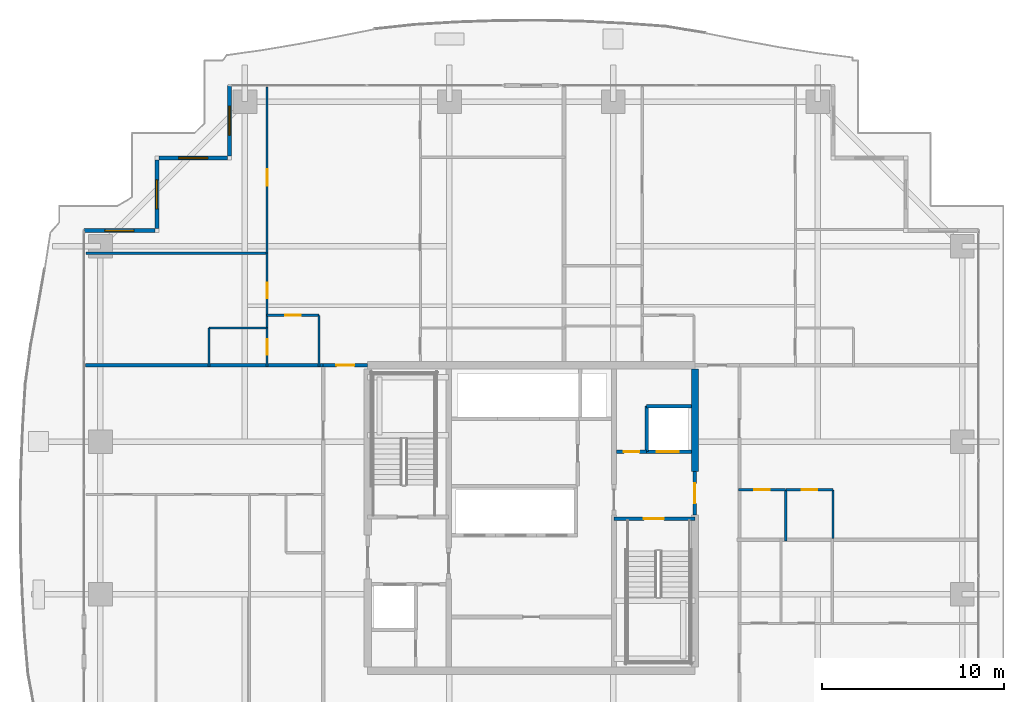
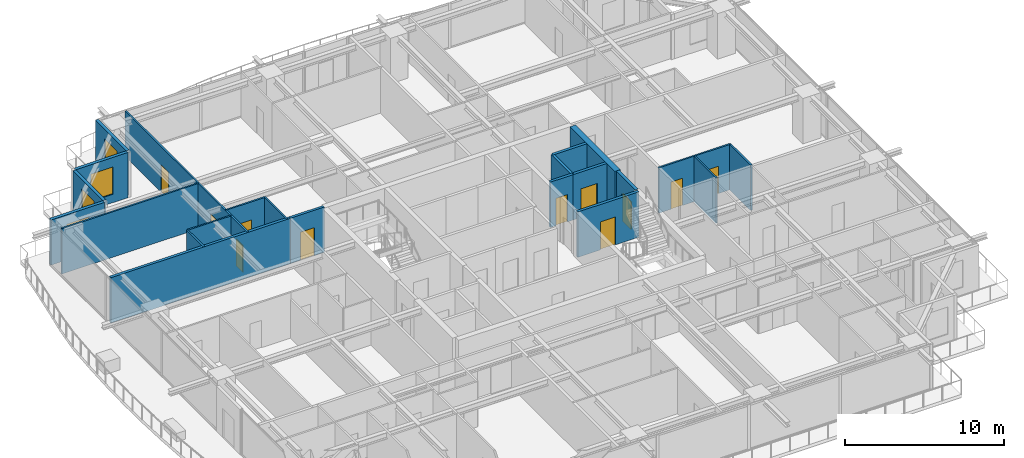
# One storey, part 30 of 38: 25 walls, 11 doors, 4 windows, 15 openings.
"""IFC4 building model written with IfcOpenShell, lengths in metres."""

from ifc_helpers import new_model, si_unit, direction, frame, frame_2d, origin, place, context, subcontext, project, spatial, rectangle, extrude, source, transform, mapped, material, layer, layer_set, type_object, element, fill, save


model = new_model("IFC4")

# Units and contexts
model_context = context("Model", 3, precision=1e-05, world=origin(), true_north=direction((0.0, 1.0)))
body_context = subcontext(model_context, "Body", "Model", "MODEL_VIEW")
ifc_project = project(units=[si_unit("LENGTHUNIT", "METRE"), si_unit("AREAUNIT", "SQUARE_METRE"), si_unit("VOLUMEUNIT", "CUBIC_METRE"), si_unit("PLANEANGLEUNIT", "RADIAN"), si_unit("MASSUNIT", "GRAM", prefix="KILO")], contexts=[model_context])

# Site, building, storey
site_placement = place(None, origin())
site = spatial("IfcSite", under=ifc_project, at=site_placement, CompositionType="ELEMENT")
building_placement = place(site_placement, origin())
building = spatial("IfcBuilding", under=site, at=building_placement, Name="Serunith Strait Residences", CompositionType="ELEMENT")
storey_placement = place(building_placement, frame((0.0, 0.0, 183.89990234375)))
storey = spatial("IfcBuildingStorey", under=building, at=storey_placement, Name="L46", CompositionType="ELEMENT", Elevation=183.89990234375)

# Wall, opening, window
ifc_material_1 = material(Name="Pale-Champagne Aluminium Insulated Panel", Category="aluminium")
ifc_layer_1 = layer(ifc_material_1, 0.219970703125, Name="Pale-Champagne Aluminium Insulated Panel")
ifc_layer_set_1 = layer_set([ifc_layer_1], Name="Pale-Champagne Aluminium Insulated Panel")
wall_type_1 = type_object("IfcWallType", Name="EW-ALUM-220", PredefinedType="ELEMENTEDWALL", material=ifc_layer_set_1)
wall_1_placement = place(storey_placement, frame((15.800048828125, 49.0, 0.0), z_axis=(0.0, 0.0, 1.0), x_axis=(0.0, -1.0, 0.0)))
wall_1 = element("IfcWall", 1, at=wall_1_placement, inside=storey, type_object=wall_type_1, Name="L46 Girih Serrated Corner Wall 12", PredefinedType="ELEMENTEDWALL", context=body_context, shape_type="SweptSolid", body=[
    extrude(rectangle(XDim=3.889892578125, YDim=0.219970703125, at=frame_2d((1.94482421875, 0.0))), origin(), (0.0, 0.0, 1.0), 3.47509765625),
])
opening_1_placement = place(wall_1_placement, frame((1.14501953125, 0.0, 0.64990234375)))
opening_1 = element("IfcOpeningElement", 2, at=opening_1_placement, cuts=wall_1, Name="Opening W-02", PredefinedType="OPENING", context=body_context, shape_type="SweptSolid", body=[
    extrude(rectangle(XDim=1.60009765625, YDim=2.10009765625, at=frame_2d((0.800048828125, 1.050048828125))), frame((0.0, 0.1201171875, 0.0), z_axis=(0.0, -1.0, 0.0), x_axis=(1.0, 0.0, 0.0)), (0.0, 0.0, 1.0), 0.239990234375),
])
ifc_material_2 = material(Name="Ceramic-Fritted Operable Aluminium Window Glass", Category="aluminium")
window_type = type_object("IfcWindowType", Name="WIN-C2", PartitioningType="DOUBLE_PANEL_VERTICAL", PredefinedType="WINDOW", material=ifc_material_2)
shared_shape_1 = source(origin(), body_context, "Body", "SweptSolid", [
    extrude(rectangle(XDim=1.60009765625, YDim=2.10009765625, at=frame_2d((0.800048828125, 1.050048828125))), frame((0.0, 0.030029296875, 0.0), z_axis=(0.0, -1.0, 0.0), x_axis=(1.0, 0.0, 0.0)), (0.0, 0.0, 1.0), 0.06005859375),
])
window_1_placement = place(opening_1_placement, origin())
window_1 = element("IfcWindow", 3, at=window_1_placement, inside=storey, type_object=window_type, Name="L46 Corner Operable Fritted Window 12", OverallHeight=2.10009765625, OverallWidth=1.60009765625, PartitioningType="SINGLE_PANEL", PredefinedType="WINDOW", context=body_context, shape_type="MappedRepresentation", body=[
    mapped(shared_shape_1, transform((0.0, 0.0, 0.0), scale=1.0)),
])
fill(opening_1, window_1)

wall_2_placement = place(storey_placement, frame((15.68994140625, 45.0, 0.0), z_axis=(0.0, 0.0, 1.0), x_axis=(-1.0, 0.0, 0.0)))
wall_2 = element("IfcWall", 4, at=wall_2_placement, inside=storey, type_object=wall_type_1, Name="L46 Girih Serrated Corner Wall 13", PredefinedType="ELEMENTEDWALL", context=body_context, shape_type="SweptSolid", body=[
    extrude(rectangle(XDim=3.780029296875, YDim=0.219970703125, at=frame_2d((1.89013671875, 0.0))), origin(), (0.0, 0.0, 1.0), 3.47509765625),
])
opening_2_placement = place(wall_2_placement, frame((1.090087890625, 0.0, 0.64990234375)))
opening_2 = element("IfcOpeningElement", 5, at=opening_2_placement, cuts=wall_2, Name="Opening W-02", PredefinedType="OPENING", context=body_context, shape_type="SweptSolid", body=[
    extrude(rectangle(XDim=1.60009765625, YDim=2.10009765625, at=frame_2d((0.800048828125, 1.050048828125))), frame((0.0, 0.1201171875, 0.0), z_axis=(0.0, -1.0, 0.0), x_axis=(1.0, 0.0, 0.0)), (0.0, 0.0, 1.0), 0.239990234375),
])
window_2_placement = place(opening_2_placement, origin())
window_2 = element("IfcWindow", 6, at=window_2_placement, inside=storey, type_object=window_type, Name="L46 Corner Operable Fritted Window 13", OverallHeight=2.10009765625, OverallWidth=1.60009765625, PartitioningType="SINGLE_PANEL", PredefinedType="WINDOW", context=body_context, shape_type="MappedRepresentation", body=[
    mapped(shared_shape_1, transform((0.0, 0.0, 0.0), scale=1.0)),
])
fill(opening_2, window_2)

wall_3_placement = place(storey_placement, frame((11.800048828125, 44.889892578125, 0.0), z_axis=(0.0, 0.0, 1.0), x_axis=(0.0, -1.0, 0.0)))
wall_3 = element("IfcWall", 7, at=wall_3_placement, inside=storey, type_object=wall_type_1, Name="L46 Girih Serrated Corner Wall 14", PredefinedType="ELEMENTEDWALL", context=body_context, shape_type="SweptSolid", body=[
    extrude(rectangle(XDim=3.77978515625, YDim=0.219970703125, at=frame_2d((1.889892578125, 0.0))), origin(), (0.0, 0.0, 1.0), 3.47509765625),
])
opening_3_placement = place(wall_3_placement, frame((1.090087890625, 0.0, 0.64990234375)))
opening_3 = element("IfcOpeningElement", 8, at=opening_3_placement, cuts=wall_3, Name="Opening W-02", PredefinedType="OPENING", context=body_context, shape_type="SweptSolid", body=[
    extrude(rectangle(XDim=1.60009765625, YDim=2.10009765625, at=frame_2d((0.800048828125, 1.050048828125))), frame((0.0, 0.1201171875, 0.0), z_axis=(0.0, -1.0, 0.0), x_axis=(1.0, 0.0, 0.0)), (0.0, 0.0, 1.0), 0.239990234375),
])
window_3_placement = place(opening_3_placement, origin())
window_3 = element("IfcWindow", 9, at=window_3_placement, inside=storey, type_object=window_type, Name="L46 Corner Operable Fritted Window 14", OverallHeight=2.10009765625, OverallWidth=1.60009765625, PartitioningType="SINGLE_PANEL", PredefinedType="WINDOW", context=body_context, shape_type="MappedRepresentation", body=[
    mapped(shared_shape_1, transform((0.0, 0.0, 0.0), scale=1.0)),
])
fill(opening_3, window_3)

wall_4_placement = place(storey_placement, frame((11.68994140625, 41.0, 0.0), z_axis=(0.0, 0.0, 1.0), x_axis=(-1.0, 0.0, 0.0)))
wall_4 = element("IfcWall", 10, at=wall_4_placement, inside=storey, type_object=wall_type_1, Name="L46 Girih Serrated Corner Wall 15", PredefinedType="ELEMENTEDWALL", context=body_context, shape_type="SweptSolid", body=[
    extrude(rectangle(XDim=3.889892578125, YDim=0.219970703125, at=frame_2d((1.94482421875, 0.0))), origin(), (0.0, 0.0, 1.0), 3.47509765625),
])
opening_4_placement = place(wall_4_placement, frame((1.14501953125, 0.0, 0.64990234375)))
opening_4 = element("IfcOpeningElement", 11, at=opening_4_placement, cuts=wall_4, Name="Opening W-02", PredefinedType="OPENING", context=body_context, shape_type="SweptSolid", body=[
    extrude(rectangle(XDim=1.60009765625, YDim=2.10009765625, at=frame_2d((0.800048828125, 1.050048828125))), frame((0.0, 0.1201171875, 0.0), z_axis=(0.0, -1.0, 0.0), x_axis=(1.0, 0.0, 0.0)), (0.0, 0.0, 1.0), 0.239990234375),
])
window_4_placement = place(opening_4_placement, origin())
window_4 = element("IfcWindow", 12, at=window_4_placement, inside=storey, type_object=window_type, Name="L46 Corner Operable Fritted Window 15", OverallHeight=2.10009765625, OverallWidth=1.60009765625, PartitioningType="SINGLE_PANEL", PredefinedType="WINDOW", context=body_context, shape_type="MappedRepresentation", body=[
    mapped(shared_shape_1, transform((0.0, 0.0, 0.0), scale=1.0)),
])
fill(opening_4, window_4)

# Wall, opening, door
ifc_material_3 = material(Name="Fire-rated acoustic gypsum partition")
ifc_layer_2 = layer(ifc_material_3, 0.179931640625, Name="Fire-rated acoustic gypsum partition")
ifc_layer_set_2 = layer_set([ifc_layer_2], Name="Fire-rated acoustic gypsum partition")
wall_type_2 = type_object("IfcWallType", Name="IW-CORR-180", PredefinedType="PARTITIONING", material=ifc_layer_set_2)
wall_5_placement = place(storey_placement, frame((20.951904296875, 33.60009765625, 0.0), z_axis=(0.0, 0.0, 1.0), x_axis=(1.0, 0.0, 0.0)))
wall_5 = element("IfcWall", 13, at=wall_5_placement, inside=storey, type_object=wall_type_2, Name="L46 Partition Wall 026", PredefinedType="PARTITIONING", context=body_context, shape_type="SweptSolid", body=[
    extrude(rectangle(XDim=2.446044921875, YDim=0.179931640625, at=frame_2d((1.22314453125, 0.0))), origin(), (0.0, 0.0, 1.0), 3.489990234375),
])
opening_5_placement = place(wall_5_placement, frame((0.722900390625, 0.0, 0.0)))
opening_5 = element("IfcOpeningElement", 14, at=opening_5_placement, cuts=wall_5, Name="Opening D-APT1000", PredefinedType="OPENING", context=body_context, shape_type="SweptSolid", body=[
    extrude(rectangle(XDim=1.0, YDim=2.14990234375, at=frame_2d((0.5, 1.074951171875))), frame((0.0, 0.10009765625, 0.0), z_axis=(0.0, -1.0, 0.0), x_axis=(1.0, 0.0, 0.0)), (0.0, 0.0, 1.0), 0.199951171875),
])
ifc_material_4 = material(Name="Solid timber engineered fire door", Category="wood")
door_type_1 = type_object("IfcDoorType", Name="ID-APT-1000", OperationType="NOTDEFINED", PredefinedType="DOOR", material=ifc_material_4)
shared_shape_2 = source(origin(), body_context, "Body", "SweptSolid", [
    extrude(rectangle(XDim=1.0, YDim=2.14990234375, at=frame_2d((0.5, 1.074951171875))), frame((0.0, 0.02490234375, 0.0), z_axis=(0.0, -1.0, 0.0), x_axis=(1.0, 0.0, 0.0)), (0.0, 0.0, 1.0), 0.050048828125),
])
door_1_placement = place(opening_5_placement, origin())
door_1 = element("IfcDoor", 15, at=door_1_placement, inside=storey, type_object=door_type_1, Name="L46 Unit 04 Entrance Door", OperationType="SINGLE_SWING_LEFT", OverallHeight=2.14990234375, OverallWidth=1.0, PredefinedType="DOOR", context=body_context, shape_type="MappedRepresentation", body=[
    mapped(shared_shape_2, transform((0.0, 0.0, 0.0), scale=1.0)),
])
fill(opening_5, door_1)

ifc_material_5 = material(Name="Lightweight steel-stud gypsum partition", Category="steel")
ifc_layer_3 = layer(ifc_material_5, 0.1201171875, Name="Lightweight steel-stud gypsum partition")
ifc_layer_set_3 = layer_set([ifc_layer_3], Name="Lightweight steel-stud gypsum partition")
wall_type_3 = type_object("IfcWallType", Name="IW-PART-120", PredefinedType="PARTITIONING", material=ifc_layer_set_3)
wall_6_placement = place(storey_placement, frame((17.8701171875, 36.35009765625, 0.0), z_axis=(0.0, 0.0, 1.0), x_axis=(1.0, 0.0, 0.0)))
wall_6 = element("IfcWall", 16, at=wall_6_placement, inside=storey, type_object=wall_type_3, Name="L46 Partition Wall 065", PredefinedType="PARTITIONING", context=body_context, shape_type="SweptSolid", body=[
    extrude(rectangle(XDim=2.849853515625, YDim=0.1201171875, at=frame_2d((1.4248046875, 0.0))), origin(), (0.0, 0.0, 1.0), 3.489990234375),
])
opening_6_placement = place(wall_6_placement, frame((1.0, 0.0, 0.0)))
opening_6 = element("IfcOpeningElement", 17, at=opening_6_placement, cuts=wall_6, Name="Opening D-RM850", PredefinedType="OPENING", context=body_context, shape_type="SweptSolid", body=[
    extrude(rectangle(XDim=0.85009765625, YDim=2.10009765625, at=frame_2d((0.425048828125, 1.050048828125))), frame((0.0, 0.070068359375, 0.0), z_axis=(0.0, -1.0, 0.0), x_axis=(1.0, 0.0, 0.0)), (0.0, 0.0, 1.0), 0.14013671875),
])
ifc_material_6 = material(Name="Engineered timber flush study and kitchen door", Category="wood")
door_type_2 = type_object("IfcDoorType", Name="ID-ROOM-850", OperationType="NOTDEFINED", PredefinedType="DOOR", material=ifc_material_6)
shared_shape_3 = source(origin(), body_context, "Body", "SweptSolid", [
    extrude(rectangle(XDim=0.85009765625, YDim=2.10009765625, at=frame_2d((0.425048828125, 1.050048828125))), frame((0.0, 0.02490234375, 0.0), z_axis=(0.0, -1.0, 0.0), x_axis=(1.0, 0.0, 0.0)), (0.0, 0.0, 1.0), 0.050048828125),
])
door_2_placement = place(opening_6_placement, origin())
door_2 = element("IfcDoor", 18, at=door_2_placement, inside=storey, type_object=door_type_2, Name="L46 Kitchen 4604 Door", OperationType="SINGLE_SWING_LEFT", OverallHeight=2.10009765625, OverallWidth=0.85009765625, PredefinedType="DOOR", context=body_context, shape_type="MappedRepresentation", body=[
    mapped(shared_shape_3, transform((0.0, 0.0, 0.0), scale=1.0)),
])
fill(opening_6, door_2)

# Wall
wall_7_placement = place(storey_placement, frame((20.719970703125, 36.35009765625, 0.0), z_axis=(0.0, 0.0, 1.0), x_axis=(0.0, -1.0, 0.0)))
element("IfcWall", 19, at=wall_7_placement, inside=storey, type_object=wall_type_3, Name="L46 Partition Wall 066", PredefinedType="PARTITIONING", context=body_context, shape_type="SweptSolid", body=[
    extrude(rectangle(XDim=2.81005859375, YDim=0.1201171875, at=frame_2d((1.405029296875, 0.0))), origin(), (0.0, 0.0, 1.0), 3.489990234375),
])

# Wall, opening, door
wall_8_placement = place(storey_placement, frame((17.8701171875, 48.905029296875, 0.0), z_axis=(0.0, 0.0, 1.0), x_axis=(0.0, -1.0, 0.0)))
wall_8 = element("IfcWall", 20, at=wall_8_placement, inside=storey, type_object=wall_type_3, Name="L46 Partition Wall 067", PredefinedType="PARTITIONING", context=body_context, shape_type="SweptSolid", body=[
    extrude(rectangle(XDim=9.14013671875, YDim=0.1201171875, at=frame_2d((4.570068359375, 0.0))), origin(), (0.0, 0.0, 1.0), 3.489990234375),
])
opening_7_placement = place(wall_8_placement, frame((4.531982421875, 0.0, 0.0)))
opening_7 = element("IfcOpeningElement", 21, at=opening_7_placement, cuts=wall_8, Name="Opening D-RM900", PredefinedType="OPENING", context=body_context, shape_type="SweptSolid", body=[
    extrude(rectangle(XDim=0.89990234375, YDim=2.10009765625, at=frame_2d((0.449951171875, 1.050048828125))), frame((0.0, 0.070068359375, 0.0), z_axis=(0.0, -1.0, 0.0), x_axis=(1.0, 0.0, 0.0)), (0.0, 0.0, 1.0), 0.14013671875),
])
ifc_material_7 = material(Name="Engineered timber flush bedroom door", Category="wood")
door_type_3 = type_object("IfcDoorType", Name="ID-ROOM-900", OperationType="NOTDEFINED", PredefinedType="DOOR", material=ifc_material_7)
shared_shape_4 = source(origin(), body_context, "Body", "SweptSolid", [
    extrude(rectangle(XDim=0.89990234375, YDim=2.10009765625, at=frame_2d((0.449951171875, 1.050048828125))), frame((0.0, 0.02490234375, 0.0), z_axis=(0.0, -1.0, 0.0), x_axis=(1.0, 0.0, 0.0)), (0.0, 0.0, 1.0), 0.050048828125),
])
door_3_placement = place(opening_7_placement, origin())
door_3 = element("IfcDoor", 22, at=door_3_placement, inside=storey, type_object=door_type_3, Name="L46 Master Bedroom 1 4604 Door", OperationType="SINGLE_SWING_RIGHT", OverallHeight=2.10009765625, OverallWidth=0.89990234375, PredefinedType="DOOR", context=body_context, shape_type="MappedRepresentation", body=[
    mapped(shared_shape_4, transform((0.0, 0.0, 0.0), scale=1.0)),
])
fill(opening_7, door_3)

# Walls
wall_9_placement = place(storey_placement, frame((7.89501953125, 39.764892578125, 0.0), z_axis=(0.0, 0.0, 1.0), x_axis=(1.0, 0.0, 0.0)))
element("IfcWall", 23, at=wall_9_placement, inside=storey, type_object=wall_type_3, Name="L46 Partition Wall 068", PredefinedType="PARTITIONING", context=body_context, shape_type="SweptSolid", body=[
    extrude(rectangle(XDim=9.97509765625, YDim=0.1201171875, at=frame_2d((4.987548828125, 0.0))), origin(), (0.0, 0.0, 1.0), 3.489990234375),
])
wall_10_placement = place(storey_placement, frame((14.669921875, 35.64990234375, 0.0), z_axis=(0.0, 0.0, 1.0), x_axis=(1.0, 0.0, 0.0)))
element("IfcWall", 24, at=wall_10_placement, inside=storey, type_object=wall_type_3, Name="L46 Partition Wall 069", PredefinedType="PARTITIONING", context=body_context, shape_type="SweptSolid", body=[
    extrude(rectangle(XDim=3.2001953125, YDim=0.1201171875, at=frame_2d((1.60009765625, 0.0))), origin(), (0.0, 0.0, 1.0), 3.489990234375),
])
wall_11_placement = place(storey_placement, frame((14.669921875, 35.64990234375, 0.0), z_axis=(0.0, 0.0, 1.0), x_axis=(0.0, -1.0, 0.0)))
element("IfcWall", 25, at=wall_11_placement, inside=storey, type_object=wall_type_3, Name="L46 Partition Wall 070", PredefinedType="PARTITIONING", context=body_context, shape_type="SweptSolid", body=[
    extrude(rectangle(XDim=2.10986328125, YDim=0.1201171875, at=frame_2d((1.054931640625, 0.0))), origin(), (0.0, 0.0, 1.0), 3.489990234375),
])

# Wall, opening, door
wall_12_placement = place(storey_placement, frame((17.8701171875, 39.762939453125, 0.0), z_axis=(0.0, 0.0, 1.0), x_axis=(0.0, -1.0, 0.0)))
wall_12 = element("IfcWall", 26, at=wall_12_placement, inside=storey, type_object=wall_type_3, Name="L46 Partition Wall 071", PredefinedType="PARTITIONING", context=body_context, shape_type="SweptSolid", body=[
    extrude(rectangle(XDim=4.113037109375, YDim=0.1201171875, at=frame_2d((2.056640625, 0.0))), origin(), (0.0, 0.0, 1.0), 3.489990234375),
])
opening_8_placement = place(wall_12_placement, frame((1.631103515625, 0.0, 0.0)))
opening_8 = element("IfcOpeningElement", 27, at=opening_8_placement, cuts=wall_12, Name="Opening D-RM850", PredefinedType="OPENING", context=body_context, shape_type="SweptSolid", body=[
    extrude(rectangle(XDim=0.85009765625, YDim=2.10009765625, at=frame_2d((0.425048828125, 1.050048828125))), frame((0.0, 0.070068359375, 0.0), z_axis=(0.0, -1.0, 0.0), x_axis=(1.0, 0.0, 0.0)), (0.0, 0.0, 1.0), 0.14013671875),
])
door_4_placement = place(opening_8_placement, origin())
door_4 = element("IfcDoor", 28, at=door_4_placement, inside=storey, type_object=door_type_2, Name="L46 Walk-in Wardrobe 4604 Door", OperationType="SINGLE_SWING_LEFT", OverallHeight=2.10009765625, OverallWidth=0.85009765625, PredefinedType="DOOR", context=body_context, shape_type="MappedRepresentation", body=[
    mapped(shared_shape_3, transform((0.0, 0.0, 0.0), scale=1.0)),
])
fill(opening_8, door_4)

wall_13_placement = place(storey_placement, frame((17.8701171875, 35.64794921875, 0.0), z_axis=(0.0, 0.0, 1.0), x_axis=(0.0, -1.0, 0.0)))
wall_13 = element("IfcWall", 29, at=wall_13_placement, inside=storey, type_object=wall_type_3, Name="L46 Partition Wall 072", PredefinedType="PARTITIONING", context=body_context, shape_type="SweptSolid", body=[
    extrude(rectangle(XDim=2.10791015625, YDim=0.1201171875, at=frame_2d((1.053955078125, 0.0))), origin(), (0.0, 0.0, 1.0), 3.489990234375),
])
opening_9_placement = place(wall_13_placement, frame((0.62890625, 0.0, 0.0)))
opening_9 = element("IfcOpeningElement", 30, at=opening_9_placement, cuts=wall_13, Name="Opening D-BTH850", PredefinedType="OPENING", context=body_context, shape_type="SweptSolid", body=[
    extrude(rectangle(XDim=0.85009765625, YDim=2.10009765625, at=frame_2d((0.425048828125, 1.050048828125))), frame((0.0, 0.070068359375, 0.0), z_axis=(0.0, -1.0, 0.0), x_axis=(1.0, 0.0, 0.0)), (0.0, 0.0, 1.0), 0.14013671875),
])
ifc_material_8 = material(Name="Moisture-resistant timber bathroom door", Category="wood")
door_type_4 = type_object("IfcDoorType", Name="ID-BATH-850", OperationType="NOTDEFINED", PredefinedType="DOOR", material=ifc_material_8)
door_5_placement = place(opening_9_placement, origin())
door_5 = element("IfcDoor", 31, at=door_5_placement, inside=storey, type_object=door_type_4, Name="L46 Bathroom 4604 Door", OperationType="SINGLE_SWING_RIGHT", OverallHeight=2.10009765625, OverallWidth=0.85009765625, PredefinedType="DOOR", context=body_context, shape_type="MappedRepresentation", body=[
    mapped(shared_shape_3, transform((0.0, 0.0, 0.0), scale=1.0)),
])
fill(opening_9, door_5)

wall_14_placement = place(storey_placement, frame((49.0, 26.75, 0.0), z_axis=(0.0, 0.0, 1.0), x_axis=(-1.0, 0.0, 0.0)))
wall_14 = element("IfcWall", 32, at=wall_14_placement, inside=storey, type_object=wall_type_3, Name="L46 Partition Wall 104", PredefinedType="PARTITIONING", context=body_context, shape_type="SweptSolid", body=[
    extrude(rectangle(XDim=2.60009765625, YDim=0.1201171875, at=frame_2d((1.300048828125, 0.0))), origin(), (0.0, 0.0, 1.0), 3.489990234375),
])
opening_10_placement = place(wall_14_placement, frame((0.875, 0.0, 0.0)))
opening_10 = element("IfcOpeningElement", 33, at=opening_10_placement, cuts=wall_14, Name="Opening D-RM850", PredefinedType="OPENING", context=body_context, shape_type="SweptSolid", body=[
    extrude(rectangle(XDim=0.85009765625, YDim=2.10009765625, at=frame_2d((0.425048828125, 1.050048828125))), frame((0.0, 0.070068359375, 0.0), z_axis=(0.0, -1.0, 0.0), x_axis=(1.0, 0.0, 0.0)), (0.0, 0.0, 1.0), 0.14013671875),
])
door_6_placement = place(opening_10_placement, origin())
door_6 = element("IfcDoor", 34, at=door_6_placement, inside=storey, type_object=door_type_2, Name="L46 Kitchen 4608 Door", OperationType="SINGLE_SWING_RIGHT", OverallHeight=2.10009765625, OverallWidth=0.85009765625, PredefinedType="DOOR", context=body_context, shape_type="MappedRepresentation", body=[
    mapped(shared_shape_3, transform((0.0, 0.0, 0.0), scale=1.0)),
])
fill(opening_10, door_6)

wall_15_placement = place(storey_placement, frame((46.39794921875, 26.75, 0.0), z_axis=(0.0, 0.0, 1.0), x_axis=(-1.0, 0.0, 0.0)))
wall_15 = element("IfcWall", 35, at=wall_15_placement, inside=storey, type_object=wall_type_3, Name="L46 Partition Wall 105", PredefinedType="PARTITIONING", context=body_context, shape_type="SweptSolid", body=[
    extrude(rectangle(XDim=2.60791015625, YDim=0.1201171875, at=frame_2d((1.303955078125, 0.0))), origin(), (0.0, 0.0, 1.0), 3.489990234375),
])
opening_11_placement = place(wall_15_placement, frame((0.87890625, 0.0, 0.0)))
opening_11 = element("IfcOpeningElement", 36, at=opening_11_placement, cuts=wall_15, Name="Opening D-BTH850", PredefinedType="OPENING", context=body_context, shape_type="SweptSolid", body=[
    extrude(rectangle(XDim=0.85009765625, YDim=2.10009765625, at=frame_2d((0.425048828125, 1.050048828125))), frame((0.0, 0.070068359375, 0.0), z_axis=(0.0, -1.0, 0.0), x_axis=(1.0, 0.0, 0.0)), (0.0, 0.0, 1.0), 0.14013671875),
])
door_7_placement = place(opening_11_placement, origin())
door_7 = element("IfcDoor", 37, at=door_7_placement, inside=storey, type_object=door_type_4, Name="L46 Bathroom 4608 Door", OperationType="SINGLE_SWING_LEFT", OverallHeight=2.10009765625, OverallWidth=0.85009765625, PredefinedType="DOOR", context=body_context, shape_type="MappedRepresentation", body=[
    mapped(shared_shape_3, transform((0.0, 0.0, 0.0), scale=1.0)),
])
fill(opening_11, door_7)

# Walls
wall_16_placement = place(storey_placement, frame((46.39990234375, 23.93994140625, 0.0), z_axis=(0.0, 0.0, 1.0), x_axis=(0.0, 1.0, 0.0)))
element("IfcWall", 38, at=wall_16_placement, inside=storey, type_object=wall_type_3, Name="L46 Partition Wall 106", PredefinedType="PARTITIONING", context=body_context, shape_type="SweptSolid", body=[
    extrude(rectangle(XDim=2.81005859375, YDim=0.1201171875, at=frame_2d((1.405029296875, 0.0))), origin(), (0.0, 0.0, 1.0), 3.489990234375),
])
wall_17_placement = place(storey_placement, frame((49.0, 24.06201171875, 0.0), z_axis=(0.0, 0.0, 1.0), x_axis=(0.0, 1.0, 0.0)))
element("IfcWall", 39, at=wall_17_placement, inside=storey, type_object=wall_type_3, Name="L46 Partition Wall 107", PredefinedType="PARTITIONING", context=body_context, shape_type="SweptSolid", body=[
    extrude(rectangle(XDim=2.68798828125, YDim=0.1201171875, at=frame_2d((1.343994140625, 0.0))), origin(), (0.0, 0.0, 1.0), 3.489990234375),
])
ifc_material_9 = material(Name="Twin-stud acoustic gypsum board partition")
ifc_layer_4 = layer(ifc_material_9, 0.199951171875, Name="Twin-stud acoustic gypsum board partition")
ifc_layer_set_4 = layer_set([ifc_layer_4], Name="Twin-stud acoustic gypsum board partition")
wall_type_4 = type_object("IfcWallType", Name="IW-PARTY-200", PredefinedType="PARTITIONING", material=ifc_layer_set_4)
wall_18_placement = place(storey_placement, frame((7.882080078125, 33.60009765625, 0.0), z_axis=(0.0, 0.0, 1.0), x_axis=(1.0, 0.0, 0.0)))
element("IfcWall", 40, at=wall_18_placement, inside=storey, type_object=wall_type_4, Name="L46 Partition Wall 021", PredefinedType="PARTITIONING", context=body_context, shape_type="SweptSolid", body=[
    extrude(rectangle(XDim=13.06787109375, YDim=0.199951171875, at=frame_2d((6.533935546875, 0.0))), origin(), (0.0, 0.0, 1.0), 3.489990234375),
])

# Wall, opening, door
ifc_material_10 = material(Name="Autoclaved aerated concrete blockwork", Category="masonry")
ifc_layer_5 = layer(ifc_material_10, 0.199951171875, Name="Autoclaved aerated concrete blockwork")
ifc_layer_set_5 = layer_set([ifc_layer_5], Name="Autoclaved aerated concrete blockwork")
wall_type_5 = type_object("IfcWallType", Name="IW-SHAFT-200", PredefinedType="STANDARD", material=ifc_layer_set_5)
wall_19_placement = place(storey_placement, frame((36.949951171875, 25.14990234375, 0.0), z_axis=(0.0, 0.0, 1.0), x_axis=(1.0, 0.0, 0.0)))
wall_19 = element("IfcWall", 41, at=wall_19_placement, inside=storey, type_object=wall_type_5, Name="L46 ST-2 North Shaft Wall", PredefinedType="STANDARD", context=body_context, shape_type="SweptSolid", body=[
    extrude(rectangle(XDim=4.449951171875, YDim=0.199951171875, at=frame_2d((2.22509765625, 0.0))), origin(), (0.0, 0.0, 1.0), 3.489990234375),
])
opening_12_placement = place(wall_19_placement, frame((1.64990234375, 0.0, 0.0)))
opening_12 = element("IfcOpeningElement", 42, at=opening_12_placement, cuts=wall_19, Name="Opening FD-1100", PredefinedType="OPENING", context=body_context, shape_type="SweptSolid", body=[
    extrude(rectangle(XDim=1.10009765625, YDim=2.14990234375, at=frame_2d((0.550048828125, 1.074951171875))), frame((0.0, 0.10986328125, 0.0), z_axis=(0.0, -1.0, 0.0), x_axis=(1.0, 0.0, 0.0)), (0.0, 0.0, 1.0), 0.219970703125),
])
ifc_material_11 = material(Name="Galvanised steel fire door leaf", Category="steel")
door_type_5 = type_object("IfcDoorType", Name="FD-STAIR-1100", OperationType="NOTDEFINED", PredefinedType="DOOR", material=ifc_material_11)
shared_shape_5 = source(origin(), body_context, "Body", "SweptSolid", [
    extrude(rectangle(XDim=1.10009765625, YDim=2.14990234375, at=frame_2d((0.550048828125, 1.074951171875))), frame((0.0, 0.02490234375, 0.0), z_axis=(0.0, -1.0, 0.0), x_axis=(1.0, 0.0, 0.0)), (0.0, 0.0, 1.0), 0.050048828125),
])
door_8_placement = place(opening_12_placement, origin())
door_8 = element("IfcDoor", 43, at=door_8_placement, inside=storey, type_object=door_type_5, Name="L46 ST-2 Escape Stair Door", OperationType="SINGLE_SWING_LEFT", OverallHeight=2.14990234375, OverallWidth=1.10009765625, PredefinedType="DOOR", context=body_context, shape_type="MappedRepresentation", body=[
    mapped(shared_shape_5, transform((0.0, 0.0, 0.0), scale=1.0)),
])
fill(opening_12, door_8)

wall_20_placement = place(storey_placement, frame((38.75, 28.85009765625, 0.0), z_axis=(0.0, 0.0, 1.0), x_axis=(1.0, 0.0, 0.0)))
wall_20 = element("IfcWall", 44, at=wall_20_placement, inside=storey, type_object=wall_type_5, Name="L46 FL-2 South Shaft Wall", PredefinedType="STANDARD", context=body_context, shape_type="SweptSolid", body=[
    extrude(rectangle(XDim=2.449951171875, YDim=0.199951171875, at=frame_2d((1.22509765625, 0.0))), origin(), (0.0, 0.0, 1.0), 3.489990234375),
])
opening_13_placement = place(wall_20_placement, frame((0.550048828125, 0.0, 0.0)))
opening_13 = element("IfcOpeningElement", 45, at=opening_13_placement, cuts=wall_20, Name="Opening LD-FF1200", PredefinedType="OPENING", context=body_context, shape_type="SweptSolid", body=[
    extrude(rectangle(XDim=1.199951171875, YDim=2.199951171875, at=frame_2d((0.60009765625, 1.10009765625))), frame((0.0, 0.10986328125, 0.0), z_axis=(0.0, -1.0, 0.0), x_axis=(1.0, 0.0, 0.0)), (0.0, 0.0, 1.0), 0.219970703125),
])
ifc_material_12 = material(Name="Brushed stainless steel landing door", Category="steel")
door_type_6 = type_object("IfcDoorType", Name="LD-FF-1200", OperationType="DOUBLE_DOOR_SLIDING", PredefinedType="DOOR", material=ifc_material_12)
shared_shape_6 = source(origin(), body_context, "Body", "SweptSolid", [
    extrude(rectangle(XDim=1.199951171875, YDim=2.199951171875, at=frame_2d((0.60009765625, 1.10009765625))), frame((0.0, 0.02490234375, 0.0), z_axis=(0.0, -1.0, 0.0), x_axis=(1.0, 0.0, 0.0)), (0.0, 0.0, 1.0), 0.050048828125),
])
door_9_placement = place(opening_13_placement, origin())
door_9 = element("IfcDoor", 46, at=door_9_placement, inside=storey, type_object=door_type_6, Name="L46 FL-2 Landing Door", OperationType="DOUBLE_DOOR_SLIDING", OverallHeight=2.199951171875, OverallWidth=1.199951171875, PredefinedType="DOOR", context=body_context, shape_type="MappedRepresentation", body=[
    mapped(shared_shape_6, transform((0.0, 0.0, 0.0), scale=1.0)),
])
fill(opening_13, door_9)

# Walls
wall_21_placement = place(storey_placement, frame((38.75, 28.85009765625, 0.0), z_axis=(0.0, 0.0, 1.0), x_axis=(0.0, 1.0, 0.0)))
element("IfcWall", 47, at=wall_21_placement, inside=storey, type_object=wall_type_5, Name="L46 Partition Wall 004", PredefinedType="STANDARD", context=body_context, shape_type="SweptSolid", body=[
    extrude(rectangle(XDim=2.5, YDim=0.199951171875, at=frame_2d((1.25, 0.0))), origin(), (0.0, 0.0, 1.0), 3.489990234375),
])
wall_22_placement = place(storey_placement, frame((38.75, 31.35009765625, 0.0), z_axis=(0.0, 0.0, 1.0), x_axis=(1.0, 0.0, 0.0)))
element("IfcWall", 48, at=wall_22_placement, inside=storey, type_object=wall_type_5, Name="L46 Partition Wall 005", PredefinedType="STANDARD", context=body_context, shape_type="SweptSolid", body=[
    extrude(rectangle(XDim=2.449951171875, YDim=0.199951171875, at=frame_2d((1.22509765625, 0.0))), origin(), (0.0, 0.0, 1.0), 3.489990234375),
])

# Wall, opening, door
wall_23_placement = place(storey_placement, frame((37.10009765625, 28.85009765625, 0.0), z_axis=(0.0, 0.0, 1.0), x_axis=(1.0, 0.0, 0.0)))
wall_23 = element("IfcWall", 49, at=wall_23_placement, inside=storey, type_object=wall_type_5, Name="L46 Partition Wall 006", PredefinedType="STANDARD", context=body_context, shape_type="SweptSolid", body=[
    extrude(rectangle(XDim=1.64794921875, YDim=0.199951171875, at=frame_2d((0.823974609375, 0.0))), origin(), (0.0, 0.0, 1.0), 3.489990234375),
])
opening_14_placement = place(wall_23_placement, frame((0.39892578125, 0.0, 0.0)))
opening_14 = element("IfcOpeningElement", 50, at=opening_14_placement, cuts=wall_23, Name="Opening FD-850", PredefinedType="OPENING", context=body_context, shape_type="SweptSolid", body=[
    extrude(rectangle(XDim=0.85009765625, YDim=2.10009765625, at=frame_2d((0.425048828125, 1.050048828125))), frame((0.0, 0.10986328125, 0.0), z_axis=(0.0, -1.0, 0.0), x_axis=(1.0, 0.0, 0.0)), (0.0, 0.0, 1.0), 0.219970703125),
])
ifc_material_13 = material(Name="Powder-coated steel service closet door", Category="steel")
door_type_7 = type_object("IfcDoorType", Name="FD-BOH-850", OperationType="NOTDEFINED", PredefinedType="DOOR", material=ifc_material_13)
door_10_placement = place(opening_14_placement, origin())
door_10 = element("IfcDoor", 51, at=door_10_placement, inside=storey, type_object=door_type_7, Name="L46 North-East Core Service Door", OperationType="SINGLE_SWING_LEFT", OverallHeight=2.10009765625, OverallWidth=0.85009765625, PredefinedType="DOOR", context=body_context, shape_type="MappedRepresentation", body=[
    mapped(shared_shape_3, transform((0.0, 0.0, 0.0), scale=1.0)),
])
fill(opening_14, door_10)

wall_24_placement = place(storey_placement, frame((41.39990234375, 25.35205078125, 0.0), z_axis=(0.0, 0.0, 1.0), x_axis=(0.0, 1.0, 0.0)))
wall_24 = element("IfcWall", 52, at=wall_24_placement, inside=storey, type_object=wall_type_5, Name="L46 Partition Wall 008", PredefinedType="STANDARD", context=body_context, shape_type="SweptSolid", body=[
    extrude(rectangle(XDim=2.39599609375, YDim=0.199951171875, at=frame_2d((1.197998046875, 0.0))), origin(), (0.0, 0.0, 1.0), 3.489990234375),
])
opening_15_placement = place(wall_24_placement, frame((0.64794921875, 0.0, 0.0)))
opening_15 = element("IfcOpeningElement", 53, at=opening_15_placement, cuts=wall_24, Name="Opening FD-FFL", PredefinedType="OPENING", context=body_context, shape_type="SweptSolid", body=[
    extrude(rectangle(XDim=1.10009765625, YDim=2.14990234375, at=frame_2d((0.550048828125, 1.074951171875))), frame((0.0, 0.10986328125, 0.0), z_axis=(0.0, -1.0, 0.0), x_axis=(1.0, 0.0, 0.0)), (0.0, 0.0, 1.0), 0.219970703125),
])
ifc_material_14 = material(Name="Glazed steel smoke-lobby fire door", Category="steel")
door_type_8 = type_object("IfcDoorType", Name="FD-FFL-1100", OperationType="NOTDEFINED", PredefinedType="DOOR", material=ifc_material_14)
door_11_placement = place(opening_15_placement, origin())
door_11 = element("IfcDoor", 54, at=door_11_placement, inside=storey, type_object=door_type_8, Name="L46 FFL-2 Corridor Fire Door", OperationType="SINGLE_SWING_LEFT", OverallHeight=2.14990234375, OverallWidth=1.10009765625, PredefinedType="DOOR", context=body_context, shape_type="MappedRepresentation", body=[
    mapped(shared_shape_5, transform((0.0, 0.0, 0.0), scale=1.0)),
])
fill(opening_15, door_11)

# Wall
ifc_material_15 = material(Name="Concrete C70/85", Category="concrete")
ifc_layer_6 = layer(ifc_material_15, 0.39990234375, Name="Concrete C70/85")
ifc_layer_set_6 = layer_set([ifc_layer_6], Name="Concrete C70/85")
wall_type_6 = type_object("IfcWallType", Name="SW-400-C70", PredefinedType="SHEAR", material=ifc_layer_set_6)
wall_25_placement = place(storey_placement, frame((41.39990234375, 27.75, -0.260009765625), z_axis=(0.0, 0.0, 1.0), x_axis=(0.0, 1.0, 0.0)))
element("IfcWall", 55, at=wall_25_placement, inside=storey, type_object=wall_type_6, Name="L46 Core East Shear Wall North Pier", PredefinedType="SHEAR", context=body_context, shape_type="SweptSolid", body=[
    extrude(rectangle(XDim=5.64990234375, YDim=0.39990234375, at=frame_2d((2.824951171875, 0.0))), origin(), (0.0, 0.0, 1.0), 3.748046875),
])

save(model, "model.ifc")
